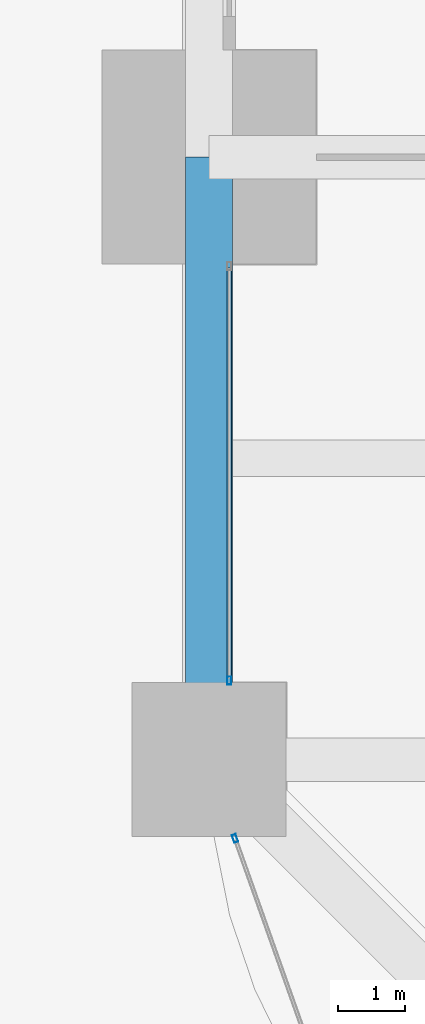
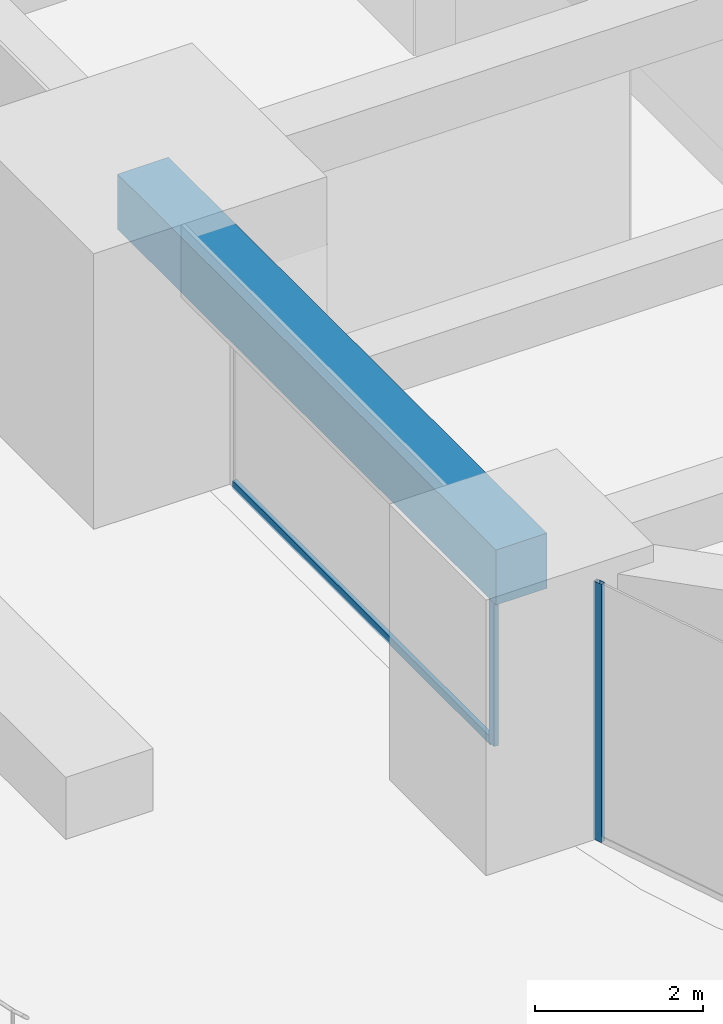
# One storey, part 5 of 40: 3 members, 1 beam, 2 elements without a shape of their own.
"""IFC4 building model written with IfcOpenShell, lengths in metres."""

from ifc_helpers import new_model, si_unit, direction, frame, origin, origin_2d, place, context, subcontext, project, spatial, rectangle, hollow_rectangle, extrude, material, material_profile, profile_set, type_object, element, aggregate, save


model = new_model("IFC4")

# Units and contexts
model_context = context("Model", 3, precision=1e-05, world=origin(), true_north=direction((0.0, 1.0)))
body_context = subcontext(model_context, "Body", "Model", "MODEL_VIEW")
ifc_project = project(units=[si_unit("LENGTHUNIT", "METRE"), si_unit("AREAUNIT", "SQUARE_METRE"), si_unit("VOLUMEUNIT", "CUBIC_METRE"), si_unit("PLANEANGLEUNIT", "RADIAN"), si_unit("MASSUNIT", "GRAM", prefix="KILO")], contexts=[model_context])

# Site, building, storey
site_placement = place(None, origin())
site = spatial("IfcSite", under=ifc_project, at=site_placement, CompositionType="ELEMENT")
building_placement = place(site_placement, origin())
building = spatial("IfcBuilding", under=site, at=building_placement, Name="Zorevar Civic Tower", CompositionType="ELEMENT")
storey_placement = place(building_placement, frame((0.0, 0.0, 239.39990234375)))
storey = spatial("IfcBuildingStorey", under=building, at=storey_placement, Name="L58", CompositionType="ELEMENT", Elevation=239.39990234375)

# Curtain wall, member
ifc_material_1 = material(Name="Dark grey solar-control glass in black aluminium frame", Category="aluminium")
curtain_wall_type = type_object("IfcCurtainWallType", Name="Curtain wall CW5 top zone", PredefinedType="NOTDEFINED", material=ifc_material_1)
curtain_wall_1_placement = place(storey_placement, origin())
curtain_wall_1 = element("IfcCurtainWall", 1, at=curtain_wall_1_placement, inside=storey, type_object=curtain_wall_type, Name="CW5 L58", PredefinedType="NOTDEFINED")
ifc_material_2 = material(Name="Aluminium, black anodised", Category="aluminium")
ifc_material_profile_1 = material_profile(ifc_material_2, hollow_rectangle(XDim=0.06005859375, YDim=0.1201171875, WallThickness=0.0029296875, at=origin_2d()), Name="AL 120x60x3")
ifc_profile_set_1 = profile_set([ifc_material_profile_1], Name="Aluminium, black anodised")
member_type_1 = type_object("IfcMemberType", Name="CW5 mullion AL 120x60x3", PredefinedType="MULLION", material=ifc_profile_set_1)
member_1_placement = place(storey_placement, frame((9.300048828125, 10.179931640625, 0.0), z_axis=(0.0, 0.0, 1.0), x_axis=(-1.0, 0.0, 0.0)))
member_1 = element("IfcMember", 2, at=member_1_placement, type_object=member_type_1, Name="CW5 mullion 1", PredefinedType="MULLION", context=body_context, shape_type="SweptSolid", body=[
    extrude(hollow_rectangle(XDim=0.06005859375, YDim=0.1201171875, WallThickness=0.0029296875, at=origin_2d()), origin(), (0.0, 0.0, 1.0), 2.9501953125),
])

curtain_wall_2_placement = place(storey_placement, origin())
curtain_wall_2 = element("IfcCurtainWall", 3, at=curtain_wall_2_placement, inside=storey, type_object=curtain_wall_type, Name="CW5 L58", PredefinedType="NOTDEFINED")
member_2_placement = place(storey_placement, frame((9.386474609375, 7.82177734375, 0.0), z_axis=(0.0, 0.0, 1.0), x_axis=(0.942273078759, 0.334845404696, 0.0)))
member_2 = element("IfcMember", 4, at=member_2_placement, type_object=member_type_1, Name="CW5 mullion 1", PredefinedType="MULLION", context=body_context, shape_type="SweptSolid", body=[
    extrude(hollow_rectangle(XDim=0.06005859375, YDim=0.1201171875, WallThickness=0.0029296875, at=origin_2d()), origin(), (0.0, 0.0, 1.0), 3.75),
])
aggregate(curtain_wall_2, [member_2])

# Member
ifc_material_3 = material(Name="Aluminium, black anodised", Category="aluminium")
ifc_material_profile_2 = material_profile(ifc_material_3, hollow_rectangle(XDim=0.06005859375, YDim=0.1201171875, WallThickness=0.0029296875, at=origin_2d()), Name="AL 120x60x3")
ifc_profile_set_2 = profile_set([ifc_material_profile_2], Name="Aluminium, black anodised")
member_type_2 = type_object("IfcMemberType", Name="CW5 transom AL 120x60x3", PredefinedType="USERDEFINED", material=ifc_profile_set_2)
member_3_placement = place(storey_placement, frame((9.300048828125, 10.2099609375, 0.030029296875), z_axis=(0.0, 1.0, 0.0), x_axis=(-1.0, 0.0, 0.0)))
member_3 = element("IfcMember", 5, at=member_3_placement, type_object=member_type_2, Name="CW5 sill transom", ObjectType="TRANSOM", PredefinedType="USERDEFINED", context=body_context, shape_type="SweptSolid", body=[
    extrude(hollow_rectangle(XDim=0.06005859375, YDim=0.1201171875, WallThickness=0.0029296875, at=origin_2d()), origin(), (0.0, 0.0, 1.0), 6.130126953125),
])

aggregate(curtain_wall_1, [member_1, member_3])

# Beam
ifc_material_4 = material(Name="Concrete C50/60", Category="concrete")
ifc_material_profile_3 = material_profile(ifc_material_4, rectangle(XDim=0.699951171875, YDim=0.800048828125, at=origin_2d()), Name="RC 700x800")
ifc_profile_set_3 = profile_set([ifc_material_profile_3], Name="Concrete C50/60")
beam_type = type_object("IfcBeamType", Name="Edge beam RC 700x800", PredefinedType="SPANDREL", material=ifc_profile_set_3)
beam_placement = place(storey_placement, frame((9.0, 9.0, 3.35009765625), z_axis=(0.0, 1.0, 0.0), x_axis=(-1.0, 0.0, 0.0)))
element("IfcBeam", 6, at=beam_placement, inside=storey, type_object=beam_type, Name="Edge beam L59", PredefinedType="SPANDREL", context=body_context, shape_type="SweptSolid", body=[
    extrude(rectangle(XDim=0.699951171875, YDim=0.800048828125, at=origin_2d()), origin(), (0.0, 0.0, 1.0), 9.0),
])

save(model, "model.ifc")
